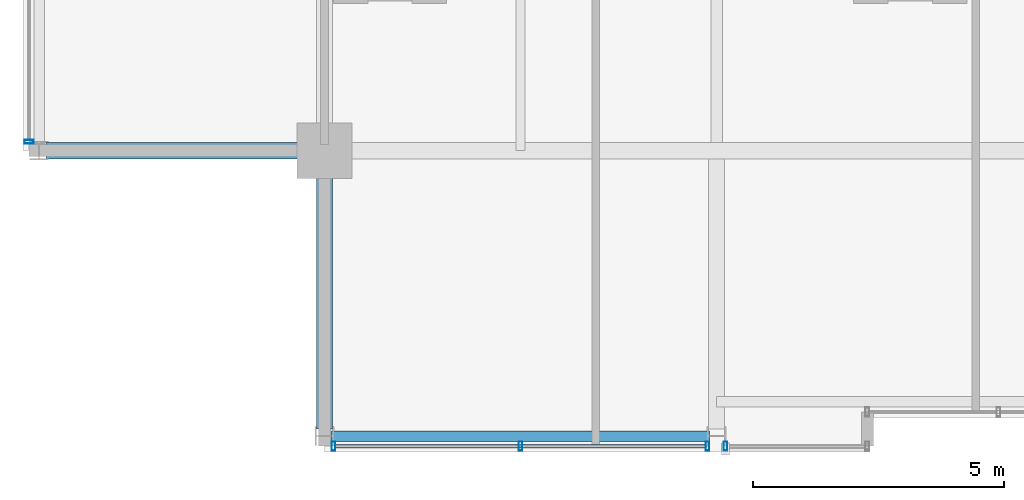
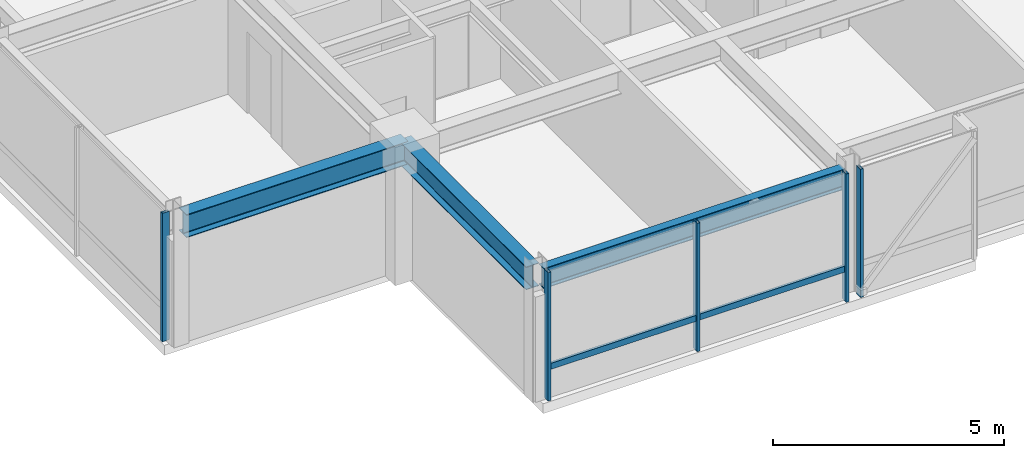
# One storey, part 3 of 33: 6 members, 3 beams, 3 elements without a shape of their own.
"""IFC4 building model written with IfcOpenShell, lengths in metres."""

from ifc_helpers import new_model, si_unit, direction, frame, origin, origin_2d, place, context, subcontext, project, spatial, hollow_rectangle, i_section, extrude, material, layer, layer_set, material_profile, profile_set, type_object, element, aggregate, save


model = new_model("IFC4")

# Units and contexts
model_context = context("Model", 3, precision=1e-05, world=origin(), true_north=direction((0.0, 1.0)))
body_context = subcontext(model_context, "Body", "Model", "MODEL_VIEW")
ifc_project = project(units=[si_unit("LENGTHUNIT", "METRE"), si_unit("AREAUNIT", "SQUARE_METRE"), si_unit("VOLUMEUNIT", "CUBIC_METRE"), si_unit("PLANEANGLEUNIT", "RADIAN"), si_unit("MASSUNIT", "GRAM", prefix="KILO")], contexts=[model_context])

# Site, building, storey
site_placement = place(None, origin())
site = spatial("IfcSite", under=ifc_project, at=site_placement, CompositionType="ELEMENT")
building_placement = place(site_placement, origin())
building = spatial("IfcBuilding", under=site, at=building_placement, Name="Drelvath Grand Hotel", CompositionType="ELEMENT")
storey_placement = place(building_placement, frame((0.0, 0.0, 268.64990234375)))
storey = spatial("IfcBuildingStorey", under=building, at=storey_placement, Name="L70", CompositionType="ELEMENT", Elevation=268.64990234375)

# Curtain wall, member
ifc_material_1 = material(Name="Platinum-Mist Anodised Aluminium Frame", Category="aluminium")
ifc_layer = layer(ifc_material_1, 0.199951171875)
ifc_layer_set = layer_set([ifc_layer], Name="Platinum-Mist Anodised Aluminium Frame")
curtain_wall_type = type_object("IfcCurtainWallType", Name="Stick Curtain Wall CW-05 Platinum Mist High-Rise", PredefinedType="NOTDEFINED", material=ifc_layer_set)
curtain_wall_1_placement = place(storey_placement, origin())
curtain_wall_1 = element("IfcCurtainWall", 1, at=curtain_wall_1_placement, inside=storey, type_object=curtain_wall_type, Name="L70 CW-05 Curtain Wall CW05-L70-SW1", PredefinedType="NOTDEFINED")
ifc_material_profile_1 = material_profile(ifc_material_1, hollow_rectangle(XDim=0.06494140625, YDim=0.159912109375, WallThickness=0.00390625, at=origin_2d()), Name="HSS160X65X4")
ifc_profile_set_1 = profile_set([ifc_material_profile_1], Name="Platinum-Mist Anodised Aluminium Frame")
member_type_1 = type_object("IfcMemberType", Name="Curtain Wall Horizontal Transom CW-05 HSS160X65X4", PredefinedType="USERDEFINED", material=ifc_profile_set_1)
member_1_placement = place(storey_placement, frame((-8.6181640625, 4.919921875, 0.84765625), z_axis=(-1.0, 0.0, 0.0), x_axis=(0.0, -1.0, 0.0)))
member_1 = element("IfcMember", 2, at=member_1_placement, type_object=member_type_1, Name="CW05-L70-SW1 Sill Transom", ObjectType="TRANSOM", PredefinedType="USERDEFINED", context=body_context, shape_type="SweptSolid", body=[
    extrude(hollow_rectangle(XDim=0.06494140625, YDim=0.159912109375, WallThickness=0.00390625, at=origin_2d()), origin(), (0.0, 0.0, 1.0), 7.363525390625),
])

curtain_wall_2_placement = place(storey_placement, origin())
curtain_wall_2 = element("IfcCurtainWall", 3, at=curtain_wall_2_placement, inside=storey, type_object=curtain_wall_type, Name="L70 CW-05 Curtain Wall CW05-L70-WS1", PredefinedType="NOTDEFINED")
ifc_material_profile_2 = material_profile(ifc_material_1, hollow_rectangle(XDim=0.074951171875, YDim=0.179931640625, WallThickness=0.0048828125, at=origin_2d()), Name="HSS180X75X5")
ifc_profile_set_2 = profile_set([ifc_material_profile_2], Name="Platinum-Mist Anodised Aluminium Frame")
member_type_2 = type_object("IfcMemberType", Name="Curtain Wall Vertical Mullion CW-05 HSS180X75X5", PredefinedType="MULLION", material=ifc_profile_set_2)
member_2_placement = place(storey_placement, frame((-22.080078125, 10.978271484375, 0.0), z_axis=(0.0, 0.0, 1.0), x_axis=(0.0, 1.0, 0.0)))
member_2 = element("IfcMember", 4, at=member_2_placement, type_object=member_type_2, Name="CW05-L70-WS1 Mullion 1", PredefinedType="MULLION", context=body_context, shape_type="SweptSolid", body=[
    extrude(hollow_rectangle(XDim=0.074951171875, YDim=0.179931640625, WallThickness=0.0048828125, at=origin_2d()), origin(), (0.0, 0.0, 1.0), 3.39013671875),
])
aggregate(curtain_wall_2, [member_2])

# Member
member_3_placement = place(storey_placement, frame((-8.578125, 4.919921875, 0.0), z_axis=(0.0, 0.0, 1.0), x_axis=(1.0, 0.0, 0.0)))
member_3 = element("IfcMember", 5, at=member_3_placement, type_object=member_type_2, Name="CW05-L70-SW1 Mullion 1", PredefinedType="MULLION", context=body_context, shape_type="SweptSolid", body=[
    extrude(hollow_rectangle(XDim=0.074951171875, YDim=0.179931640625, WallThickness=0.0048828125, at=origin_2d()), origin(), (0.0, 0.0, 1.0), 3.39013671875),
])

member_4_placement = place(storey_placement, frame((-12.300048828125, 4.919921875, 0.0), z_axis=(0.0, 0.0, 1.0), x_axis=(1.0, 0.0, 0.0)))
member_4 = element("IfcMember", 6, at=member_4_placement, type_object=member_type_2, Name="CW05-L70-SW1 Mullion 2", PredefinedType="MULLION", context=body_context, shape_type="SweptSolid", body=[
    extrude(hollow_rectangle(XDim=0.074951171875, YDim=0.179931640625, WallThickness=0.0048828125, at=origin_2d()), origin(), (0.0, 0.0, 1.0), 3.39013671875),
])

member_5_placement = place(storey_placement, frame((-16.021728515625, 4.919921875, 0.0), z_axis=(0.0, 0.0, 1.0), x_axis=(1.0, 0.0, 0.0)))
member_5 = element("IfcMember", 7, at=member_5_placement, type_object=member_type_2, Name="CW05-L70-SW1 Mullion 3", PredefinedType="MULLION", context=body_context, shape_type="SweptSolid", body=[
    extrude(hollow_rectangle(XDim=0.074951171875, YDim=0.179931640625, WallThickness=0.0048828125, at=origin_2d()), origin(), (0.0, 0.0, 1.0), 3.39013671875),
])

aggregate(curtain_wall_1, [member_3, member_4, member_5, member_1])

# Curtain wall, member
curtain_wall_3_placement = place(storey_placement, origin())
curtain_wall_3 = element("IfcCurtainWall", 8, at=curtain_wall_3_placement, inside=storey, type_object=curtain_wall_type, Name="L70 CW-05 Curtain Wall CW05-L70-SW2", PredefinedType="NOTDEFINED")
member_6_placement = place(storey_placement, frame((-8.2216796875, 4.919921875, 0.0), z_axis=(0.0, 0.0, 1.0), x_axis=(1.0, 0.0, 0.0)))
member_6 = element("IfcMember", 9, at=member_6_placement, type_object=member_type_2, Name="CW05-L70-SW2 Mullion 2", PredefinedType="MULLION", context=body_context, shape_type="SweptSolid", body=[
    extrude(hollow_rectangle(XDim=0.074951171875, YDim=0.179931640625, WallThickness=0.0048828125, at=origin_2d()), origin(), (0.0, 0.0, 1.0), 3.39013671875),
])
aggregate(curtain_wall_3, [member_6])

# Beams
ifc_material_2 = material(Name="Steel ASTM A992 Gr 50", Category="steel")
ifc_material_profile_3 = material_profile(ifc_material_2, i_section(OverallWidth=0.210205078125, OverallDepth=0.53662109375, WebThickness=0.010986328125, FlangeThickness=0.017333984375, FilletRadius=0.01806640625, at=origin_2d()), Name="W21X68")
ifc_profile_set_3 = profile_set([ifc_material_profile_3], Name="Steel ASTM A992 Gr 50")
beam_type_1 = type_object("IfcBeamType", Name="Perimeter Spandrel Beam W21X68", PredefinedType="SPANDREL", material=ifc_profile_set_3)
beam_placement = place(storey_placement, frame((-16.06005859375, 5.1201171875, 3.121826171875), z_axis=(1.0, 0.0, 0.0), x_axis=(0.0, 1.0, 0.0)))
element("IfcBeam", 10, at=beam_placement, inside=storey, type_object=beam_type_1, Name="L70 Spandrel South W", PredefinedType="SPANDREL", context=body_context, shape_type="SweptSolid", body=[
    extrude(i_section(OverallWidth=0.210205078125, OverallDepth=0.53662109375, WebThickness=0.010986328125, FlangeThickness=0.017333984375, FilletRadius=0.01806640625, at=origin_2d()), origin(), (0.0, 0.0, 1.0), 7.52001953125),
])
ifc_material_profile_4 = material_profile(ifc_material_2, i_section(OverallWidth=0.323974609375, OverallDepth=0.611083984375, WebThickness=0.0126953125, FlangeThickness=0.01904296875, FilletRadius=0.02197265625, at=origin_2d()), Name="W24X104")
ifc_profile_set_4 = profile_set([ifc_material_profile_4], Name="Steel ASTM A992 Gr 50")
beam_type_2 = type_object("IfcBeamType", Name="Primary Floor Girder W24X104", PredefinedType="BEAM", material=ifc_profile_set_4)
for number, where, z_axis, x_axis, name in (
    (11, (-21.739990234375, 10.800048828125, 3.084716796875), (1.0, 0.0, 0.0), (0.0, 1.0, 0.0), "L70 West Grid Girder C"),
    (12, (-16.199951171875, 5.260009765625, 3.084716796875), (0.0, 1.0, 0.0), (-1.0, 0.0, 0.0), "L70 South Grid Girder 3"),
):
    element("IfcBeam", number, at=place(storey_placement, frame(where, z_axis=z_axis, x_axis=x_axis)), inside=storey, type_object=beam_type_2, Name=name, PredefinedType="BEAM", context=body_context, shape_type="SweptSolid", body=[
        extrude(i_section(OverallWidth=0.323974609375, OverallDepth=0.611083984375, WebThickness=0.0126953125, FlangeThickness=0.01904296875, FilletRadius=0.02197265625, at=origin_2d()), origin(), (0.0, 0.0, 1.0), 5.5400390625),
    ])

save(model, "model.ifc")
